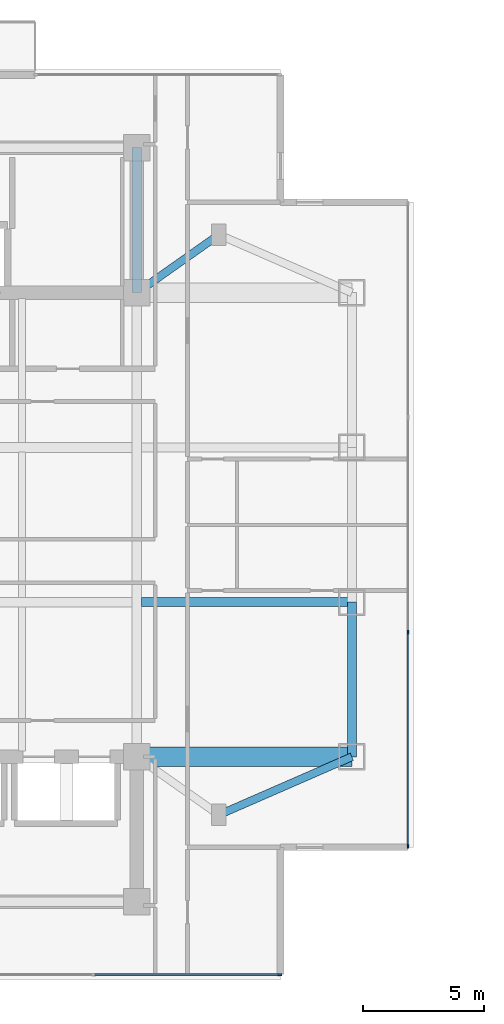
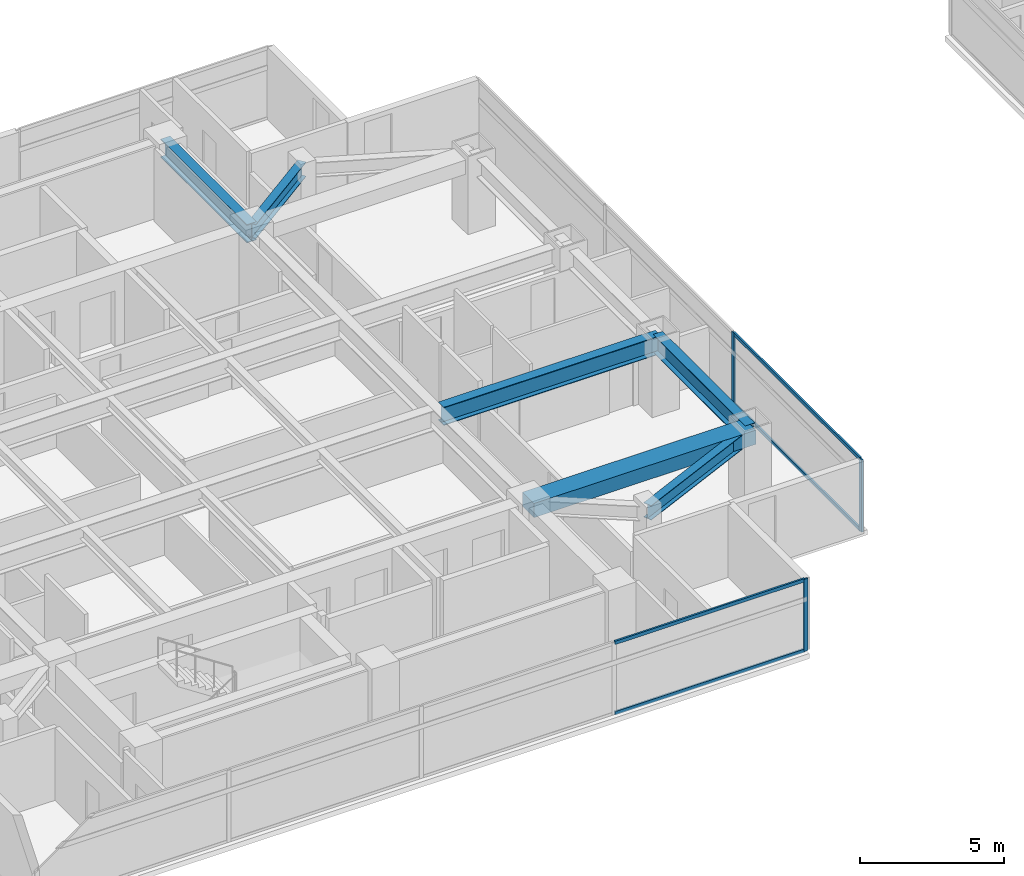
# One storey, part 4 of 26: 7 members, 6 beams, 2 elements without a shape of their own.
"""IFC4 building model written with IfcOpenShell, lengths in metres."""

from ifc_helpers import new_model, si_unit, direction, frame, origin, origin_2d, place, context, subcontext, project, spatial, rectangle, i_section, extrude, material, material_profile, profile_set, type_object, element, aggregate, save


model = new_model("IFC4")

# Units and contexts
model_context = context("Model", 3, precision=1e-05, world=origin(), true_north=direction((0.0, 1.0)))
body_context = subcontext(model_context, "Body", "Model", "MODEL_VIEW")
ifc_project = project(units=[si_unit("LENGTHUNIT", "METRE"), si_unit("AREAUNIT", "SQUARE_METRE"), si_unit("VOLUMEUNIT", "CUBIC_METRE"), si_unit("PLANEANGLEUNIT", "RADIAN"), si_unit("MASSUNIT", "GRAM", prefix="KILO")], contexts=[model_context])

# Site, building, storey
site_placement = place(None, origin())
site = spatial("IfcSite", under=ifc_project, at=site_placement, CompositionType="ELEMENT")
building_placement = place(site_placement, origin())
building = spatial("IfcBuilding", under=site, at=building_placement, Name="Mirazonda Arch Towers", CompositionType="ELEMENT")
storey_placement = place(building_placement, frame((0.0, 0.0, 128.0)))
storey = spatial("IfcBuildingStorey", under=building, at=storey_placement, Name="L36", CompositionType="ELEMENT", Elevation=128.0)

# Beams
ifc_material_1 = material(Name="Steel ASTM A992 Grade 50", Category="steel")
ifc_material_profile_1 = material_profile(ifc_material_1, i_section(OverallWidth=0.381103515625, OverallDepth=0.77294921875, WebThickness=0.0166015625, FlangeThickness=0.027099609375, at=origin_2d()), Name="W30X173")
ifc_profile_set_1 = profile_set([ifc_material_profile_1], Name="Steel ASTM A992 Grade 50")
beam_type_1 = type_object("IfcBeamType", Name="BM-EXT-W30X173", PredefinedType="USERDEFINED", material=ifc_profile_set_1)
beam_1_placement = place(storey_placement, frame((38.89990234375, 18.39990234375, 2.693603515625), z_axis=(0.0, 1.0, 0.0), x_axis=(-1.0, 0.0, 0.0)))
element("IfcBeam", 1, at=beam_1_placement, inside=storey, type_object=beam_type_1, Name="L36 Floor Beam BM-T1-L36-NS-E-18", ObjectType="GIRDER", PredefinedType="USERDEFINED", context=body_context, shape_type="SweptSolid", body=[
    extrude(i_section(OverallWidth=0.381103515625, OverallDepth=0.77294921875, WebThickness=0.0166015625, FlangeThickness=0.027099609375, at=origin_2d()), origin(), (0.0, 0.0, 1.0), 6.400146484375),
])
ifc_material_profile_2 = material_profile(ifc_material_1, i_section(OverallWidth=0.324951171875, OverallDepth=0.615966796875, WebThickness=0.013916015625, FlangeThickness=0.021484375, at=origin_2d()), Name="W24X117")
ifc_profile_set_2 = profile_set([ifc_material_profile_2], Name="Steel ASTM A992 Grade 50")
beam_type_2 = type_object("IfcBeamType", Name="BM-INT-W24X117", PredefinedType="BEAM", material=ifc_profile_set_2)
beam_2_placement = place(storey_placement, frame((33.39990234375, 16.0, 2.77197265625), z_axis=(0.916545343703, 0.399930785183, 0.0), x_axis=(-0.399930785183, 0.916545343703, 0.0)))
element("IfcBeam", 2, at=beam_2_placement, inside=storey, type_object=beam_type_2, Name="L36 Floor Beam BM-T1-L36-PL-SE2", PredefinedType="BEAM", context=body_context, shape_type="SweptSolid", body=[
    extrude(i_section(OverallWidth=0.324951171875, OverallDepth=0.615966796875, WebThickness=0.013916015625, FlangeThickness=0.021484375, at=origin_2d()), origin(), (0.0, 0.0, 1.0), 6.000732421875),
])
beam_3_placement = place(storey_placement, frame((33.39990234375, 40.0, 2.77197265625), z_axis=(-0.816971114901, -0.576678591087, 0.0), x_axis=(0.576678591087, -0.816971114901, 0.0)))
element("IfcBeam", 3, at=beam_3_placement, inside=storey, type_object=beam_type_2, Name="L36 Floor Beam BM-T1-L36-PL-NE1", PredefinedType="BEAM", context=body_context, shape_type="SweptSolid", body=[
    extrude(i_section(OverallWidth=0.324951171875, OverallDepth=0.615966796875, WebThickness=0.013916015625, FlangeThickness=0.021484375, at=origin_2d()), origin(), (0.0, 0.0, 1.0), 4.16162109375),
])
ifc_material_profile_3 = material_profile(ifc_material_1, i_section(OverallWidth=0.381103515625, OverallDepth=0.77294921875, WebThickness=0.0166015625, FlangeThickness=0.027099609375, at=origin_2d()), Name="W30X173")
ifc_profile_set_3 = profile_set([ifc_material_profile_3], Name="Steel ASTM A992 Grade 50")
beam_type_3 = type_object("IfcBeamType", Name="BM-INT-W30X173", PredefinedType="USERDEFINED", material=ifc_profile_set_3)
beam_4_placement = place(storey_placement, frame((30.199951171875, 24.800048828125, 2.693603515625), z_axis=(1.0, 0.0, 0.0), x_axis=(0.0, 1.0, 0.0)))
element("IfcBeam", 4, at=beam_4_placement, inside=storey, type_object=beam_type_3, Name="L36 Floor Beam BM-T1-L36-GE2", ObjectType="GIRDER", PredefinedType="USERDEFINED", context=body_context, shape_type="SweptSolid", body=[
    extrude(i_section(OverallWidth=0.381103515625, OverallDepth=0.77294921875, WebThickness=0.0166015625, FlangeThickness=0.027099609375, at=origin_2d()), origin(), (0.0, 0.0, 1.0), 8.699951171875),
])
beam_5_placement = place(storey_placement, frame((30.0, 37.60009765625, 2.693603515625), z_axis=(0.0, 1.0, 0.0), x_axis=(-1.0, 0.0, 0.0)))
element("IfcBeam", 5, at=beam_5_placement, inside=storey, type_object=beam_type_3, Name="L36 Floor Beam BM-T1-L36-CNE", ObjectType="GIRDER", PredefinedType="USERDEFINED", context=body_context, shape_type="SweptSolid", body=[
    extrude(i_section(OverallWidth=0.381103515625, OverallDepth=0.77294921875, WebThickness=0.0166015625, FlangeThickness=0.027099609375, at=origin_2d()), origin(), (0.0, 0.0, 1.0), 6.0),
])
ifc_material_2 = material(Name="Concrete C60/75", Category="concrete")
ifc_material_profile_4 = material_profile(ifc_material_2, rectangle(XDim=0.800048828125, YDim=0.60009765625, at=origin_2d()), Name="RCCB800x600")
ifc_profile_set_4 = profile_set([ifc_material_profile_4], Name="Concrete C60/75")
beam_type_4 = type_object("IfcBeamType", Name="CB-INT-RCCB800x600", PredefinedType="SPANDREL", material=ifc_profile_set_4)
beam_6_placement = place(storey_placement, frame((30.0, 18.39990234375, 2.780029296875), z_axis=(1.0, 0.0, 0.0), x_axis=(0.0, 1.0, 0.0)))
element("IfcBeam", 6, at=beam_6_placement, inside=storey, type_object=beam_type_4, Name="L36 Floor Beam CBC-T1-L36-SE", PredefinedType="SPANDREL", context=body_context, shape_type="SweptSolid", body=[
    extrude(rectangle(XDim=0.800048828125, YDim=0.60009765625, at=origin_2d()), origin(), (0.0, 0.0, 1.0), 8.89990234375),
])

# Curtain wall, member
ifc_material_3 = material(Name="Anodised Aluminium and Low-E Glass", Category="aluminium")
curtain_wall_type = type_object("IfcCurtainWallType", Name="CW-HTL-UNIT", PredefinedType="NOTDEFINED", material=ifc_material_3)
curtain_wall_1_placement = place(storey_placement, origin())
curtain_wall_1 = element("IfcCurtainWall", 7, at=curtain_wall_1_placement, inside=storey, type_object=curtain_wall_type, Name="L36 T1 S Facade CW-L36-T1-S", PredefinedType="NOTDEFINED")
ifc_material_4 = material(Name="Anodised Aluminium Alloy", Category="aluminium")
ifc_material_profile_5 = material_profile(ifc_material_4, rectangle(XDim=0.074951171875, YDim=0.1650390625, at=origin_2d()), Name="ALU-MULL-75x165")
ifc_profile_set_5 = profile_set([ifc_material_profile_5], Name="Anodised Aluminium Alloy")
member_type_1 = type_object("IfcMemberType", Name="MULL-CW-HTL-UNIT", PredefinedType="MULLION", material=ifc_profile_set_5)
member_1_placement = place(storey_placement, frame((35.91259765625, 9.385986328125, 0.0), z_axis=(0.0, 0.0, 1.0), x_axis=(0.0, -1.0, 0.0)))
member_1 = element("IfcMember", 8, at=member_1_placement, type_object=member_type_1, Name="CW-112 mullion 1", PredefinedType="MULLION", context=body_context, shape_type="SweptSolid", body=[
    extrude(rectangle(XDim=0.074951171875, YDim=0.1650390625, at=origin_2d()), origin(), (0.0, 0.0, 1.0), 3.06005859375),
])

# Curtain wall, members
curtain_wall_2_placement = place(storey_placement, origin())
curtain_wall_2 = element("IfcCurtainWall", 9, at=curtain_wall_2_placement, inside=storey, type_object=curtain_wall_type, Name="L36 T1 E Facade CW-L36-T1-E", PredefinedType="NOTDEFINED")
member_2_placement = place(storey_placement, frame((41.219970703125, 14.693603515625, 0.0), z_axis=(0.0, 0.0, 1.0), x_axis=(-1.0, 0.0, 0.0)))
member_2 = element("IfcMember", 10, at=member_2_placement, type_object=member_type_1, Name="CW-112 mullion 1", PredefinedType="MULLION", context=body_context, shape_type="SweptSolid", body=[
    extrude(rectangle(XDim=0.074951171875, YDim=0.1650390625, at=origin_2d()), origin(), (0.0, 0.0, 1.0), 3.06005859375),
])
member_3_placement = place(storey_placement, frame((41.219970703125, 23.552001953125, 0.0), z_axis=(0.0, 0.0, 1.0), x_axis=(-1.0, 0.0, 0.0)))
member_3 = element("IfcMember", 11, at=member_3_placement, type_object=member_type_1, Name="CW-112 mullion 2", PredefinedType="MULLION", context=body_context, shape_type="SweptSolid", body=[
    extrude(rectangle(XDim=0.074951171875, YDim=0.1650390625, at=origin_2d()), origin(), (0.0, 0.0, 1.0), 3.06005859375),
])

# Member
ifc_material_profile_6 = material_profile(ifc_material_4, rectangle(XDim=0.074951171875, YDim=0.14501953125, at=origin_2d()), Name="ALU-TRAN-75x145")
ifc_profile_set_6 = profile_set([ifc_material_profile_6], Name="Anodised Aluminium Alloy")
member_type_2 = type_object("IfcMemberType", Name="TRAN-CW-HTL-UNIT", PredefinedType="USERDEFINED", material=ifc_profile_set_6)
member_4_placement = place(storey_placement, frame((35.875, 9.385986328125, 0.03759765625), z_axis=(-1.0, 0.0, 0.0), x_axis=(0.0, -1.0, 0.0)))
member_4 = element("IfcMember", 12, at=member_4_placement, type_object=member_type_2, Name="CW-112 transom 1.1", ObjectType="TRANSOM", PredefinedType="USERDEFINED", context=body_context, shape_type="SweptSolid", body=[
    extrude(rectangle(XDim=0.074951171875, YDim=0.14501953125, at=origin_2d()), origin(), (0.0, 0.0, 1.0), 7.612548828125),
])

member_5_placement = place(storey_placement, frame((35.875, 9.385986328125, 3.0224609375), z_axis=(-1.0, 0.0, 0.0), x_axis=(0.0, -1.0, 0.0)))
member_5 = element("IfcMember", 13, at=member_5_placement, type_object=member_type_2, Name="CW-112 transom 1.2", ObjectType="TRANSOM", PredefinedType="USERDEFINED", context=body_context, shape_type="SweptSolid", body=[
    extrude(rectangle(XDim=0.074951171875, YDim=0.14501953125, at=origin_2d()), origin(), (0.0, 0.0, 1.0), 7.612548828125),
])

aggregate(curtain_wall_1, [member_1, member_4, member_5])

member_6_placement = place(storey_placement, frame((41.219970703125, 14.73095703125, 0.03759765625), z_axis=(0.0, 1.0, 0.0), x_axis=(-1.0, 0.0, 0.0)))
member_6 = element("IfcMember", 14, at=member_6_placement, type_object=member_type_2, Name="CW-112 transom 1.1", ObjectType="TRANSOM", PredefinedType="USERDEFINED", context=body_context, shape_type="SweptSolid", body=[
    extrude(rectangle(XDim=0.074951171875, YDim=0.14501953125, at=origin_2d()), origin(), (0.0, 0.0, 1.0), 8.783447265625),
])

member_7_placement = place(storey_placement, frame((41.219970703125, 14.73095703125, 3.0224609375), z_axis=(0.0, 1.0, 0.0), x_axis=(-1.0, 0.0, 0.0)))
member_7 = element("IfcMember", 15, at=member_7_placement, type_object=member_type_2, Name="CW-112 transom 1.2", ObjectType="TRANSOM", PredefinedType="USERDEFINED", context=body_context, shape_type="SweptSolid", body=[
    extrude(rectangle(XDim=0.074951171875, YDim=0.14501953125, at=origin_2d()), origin(), (0.0, 0.0, 1.0), 8.783447265625),
])

aggregate(curtain_wall_2, [member_2, member_3, member_6, member_7])

save(model, "model.ifc")
